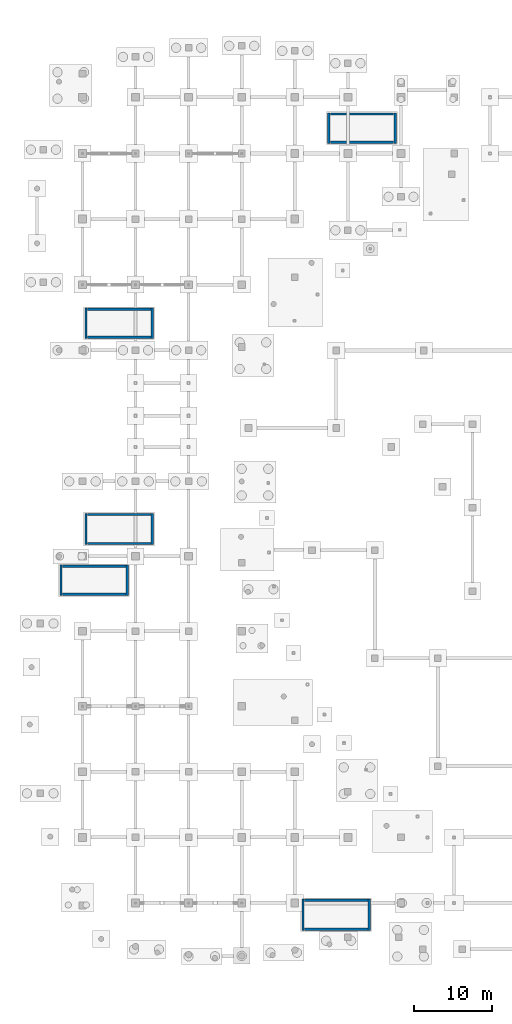
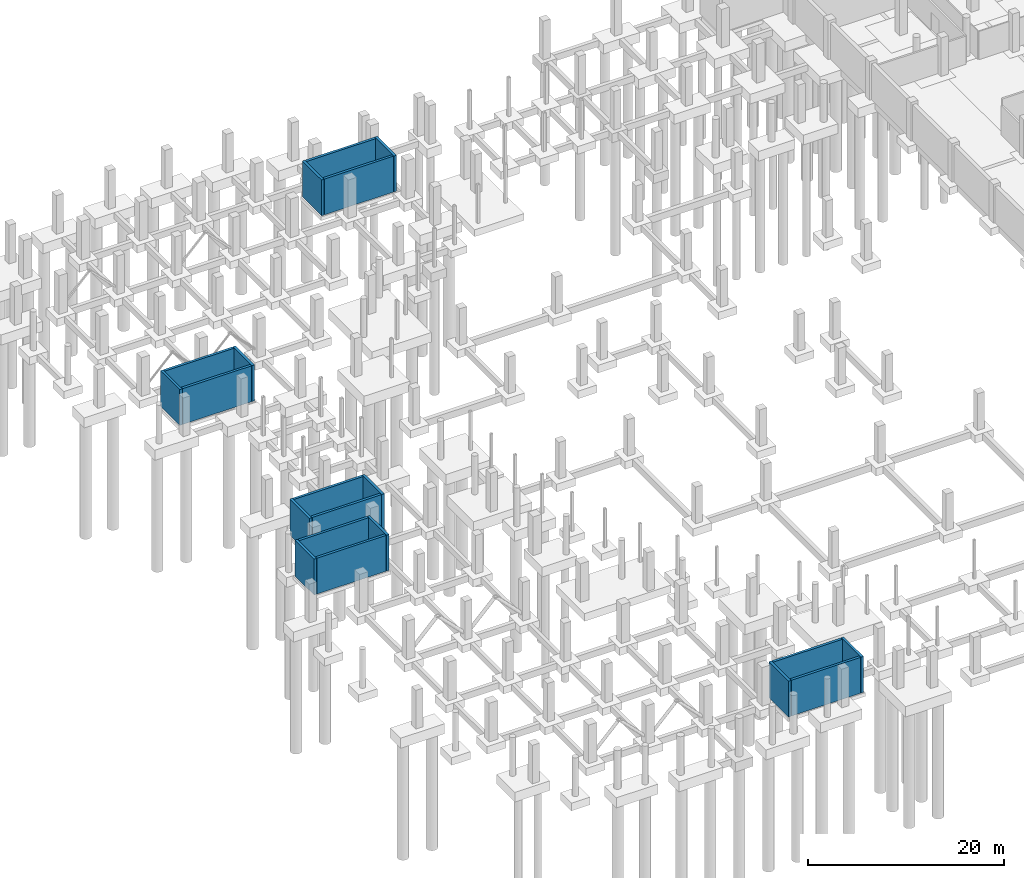
# One storey, part 35 of 44: 20 walls.
"""IFC4 building model written with IfcOpenShell, lengths in metres."""

from ifc_helpers import new_model, si_unit, direction, frame, frame_2d, origin, place, context, subcontext, project, spatial, rectangle, extrude, material, layer, layer_set, type_object, element, save


model = new_model("IFC4")

# Units and contexts
model_context = context("Model", 3, precision=1e-05, world=origin(), true_north=direction((0.0, 1.0)))
body_context = subcontext(model_context, "Body", "Model", "MODEL_VIEW")
ifc_project = project(units=[si_unit("LENGTHUNIT", "METRE"), si_unit("AREAUNIT", "SQUARE_METRE"), si_unit("VOLUMEUNIT", "CUBIC_METRE"), si_unit("PLANEANGLEUNIT", "RADIAN"), si_unit("MASSUNIT", "GRAM", prefix="KILO")], contexts=[model_context])

# Site, building, storey
site_placement = place(None, origin())
site = spatial("IfcSite", under=ifc_project, at=site_placement, CompositionType="ELEMENT")
building_placement = place(site_placement, origin())
building = spatial("IfcBuilding", under=site, at=building_placement, Name="Kisaragi Civic Commons", CompositionType="ELEMENT")
storey_placement = place(building_placement, frame((0.0, 0.0, -4.800048828125)))
storey = spatial("IfcBuildingStorey", under=building, at=storey_placement, Name="B1", CompositionType="ELEMENT", Elevation=-4.800048828125)

# Walls
ifc_material = material(Name="Concrete Fc36", Category="concrete")
ifc_layer = layer(ifc_material, 0.300048828125, Name="Concrete Fc36", Category="concrete")
ifc_layer_set = layer_set([ifc_layer], Name="Concrete Fc36")
wall_type = type_object("IfcWallType", Name="SW-01", PredefinedType="SHEAR", material=ifc_layer_set)
wall_1_placement = place(storey_placement, frame((7.25, 58.300048828125, 0.0), z_axis=(0.0, 0.0, 1.0), x_axis=(0.0, -1.0, 0.0)))
element("IfcWall", 1, at=wall_1_placement, inside=storey, type_object=wall_type, Name="ST-M1 B1 entry RC shear wall", PredefinedType="SHEAR", context=body_context, shape_type="SweptSolid", body=[
    extrude(rectangle(XDim=4.0, YDim=0.300048828125, at=frame_2d((2.0, 0.0))), origin(), (0.0, 0.0, 1.0), 4.4599609375),
])
wall_2_placement = place(storey_placement, frame((7.449951171875, 54.449951171875, 0.0), z_axis=(0.0, 0.0, 1.0), x_axis=(1.0, 0.0, 0.0)))
element("IfcWall", 2, at=wall_2_placement, inside=storey, type_object=wall_type, Name="ST-M1 B1 right RC shear wall", PredefinedType="SHEAR", context=body_context, shape_type="SweptSolid", body=[
    extrude(rectangle(XDim=8.10009765625, YDim=0.300048828125, at=frame_2d((4.050048828125, 0.0))), origin(), (0.0, 0.0, 1.0), 4.4599609375),
])
wall_3_placement = place(storey_placement, frame((15.75, 54.300048828125, 0.0), z_axis=(0.0, 0.0, 1.0), x_axis=(0.0, 1.0, 0.0)))
element("IfcWall", 3, at=wall_3_placement, inside=storey, type_object=wall_type, Name="ST-M1 B1 far RC shear wall", PredefinedType="SHEAR", context=body_context, shape_type="SweptSolid", body=[
    extrude(rectangle(XDim=4.0, YDim=0.300048828125, at=frame_2d((2.0, 0.0))), origin(), (0.0, 0.0, 1.0), 4.4599609375),
])
wall_4_placement = place(storey_placement, frame((15.550048828125, 58.14990234375, 0.0), z_axis=(0.0, 0.0, 1.0), x_axis=(-1.0, 0.0, 0.0)))
element("IfcWall", 4, at=wall_4_placement, inside=storey, type_object=wall_type, Name="ST-M1 B1 left RC shear wall", PredefinedType="SHEAR", context=body_context, shape_type="SweptSolid", body=[
    extrude(rectangle(XDim=8.10009765625, YDim=0.300048828125, at=frame_2d((4.050048828125, 0.0))), origin(), (0.0, 0.0, 1.0), 4.4599609375),
])
wall_5_placement = place(storey_placement, frame((35.050048828125, 8.89990234375, 0.0), z_axis=(0.0, 0.0, 1.0), x_axis=(0.0, -1.0, 0.0)))
element("IfcWall", 5, at=wall_5_placement, inside=storey, type_object=wall_type, Name="ST-M2 B1 entry RC shear wall", PredefinedType="SHEAR", context=body_context, shape_type="SweptSolid", body=[
    extrude(rectangle(XDim=4.0, YDim=0.300048828125, at=frame_2d((2.0, 0.0))), origin(), (0.0, 0.0, 1.0), 4.4599609375),
])
wall_6_placement = place(storey_placement, frame((35.25, 5.050048828125, 0.0), z_axis=(0.0, 0.0, 1.0), x_axis=(1.0, 0.0, 0.0)))
element("IfcWall", 6, at=wall_6_placement, inside=storey, type_object=wall_type, Name="ST-M2 B1 right RC shear wall", PredefinedType="SHEAR", context=body_context, shape_type="SweptSolid", body=[
    extrude(rectangle(XDim=8.10009765625, YDim=0.300048828125, at=frame_2d((4.050048828125, 0.0))), origin(), (0.0, 0.0, 1.0), 4.4599609375),
])
wall_7_placement = place(storey_placement, frame((43.550048828125, 4.89990234375, 0.0), z_axis=(0.0, 0.0, 1.0), x_axis=(0.0, 1.0, 0.0)))
element("IfcWall", 7, at=wall_7_placement, inside=storey, type_object=wall_type, Name="ST-M2 B1 far RC shear wall", PredefinedType="SHEAR", context=body_context, shape_type="SweptSolid", body=[
    extrude(rectangle(XDim=4.0, YDim=0.300048828125, at=frame_2d((2.0, 0.0))), origin(), (0.0, 0.0, 1.0), 4.4599609375),
])
wall_8_placement = place(storey_placement, frame((43.35009765625, 8.75, 0.0), z_axis=(0.0, 0.0, 1.0), x_axis=(-1.0, 0.0, 0.0)))
element("IfcWall", 8, at=wall_8_placement, inside=storey, type_object=wall_type, Name="ST-M2 B1 left RC shear wall", PredefinedType="SHEAR", context=body_context, shape_type="SweptSolid", body=[
    extrude(rectangle(XDim=8.10009765625, YDim=0.300048828125, at=frame_2d((4.050048828125, 0.0))), origin(), (0.0, 0.0, 1.0), 4.4599609375),
])
wall_9_placement = place(storey_placement, frame((12.550048828125, 47.800048828125, 0.0), z_axis=(0.0, 0.0, 1.0), x_axis=(0.0, 1.0, 0.0)))
element("IfcWall", 9, at=wall_9_placement, inside=storey, type_object=wall_type, Name="ST-M3 B1 entry RC shear wall", PredefinedType="SHEAR", context=body_context, shape_type="SweptSolid", body=[
    extrude(rectangle(XDim=3.89990234375, YDim=0.300048828125, at=frame_2d((1.949951171875, 0.0))), origin(), (0.0, 0.0, 1.0), 4.4599609375),
])
wall_10_placement = place(storey_placement, frame((12.35009765625, 51.550048828125, 0.0), z_axis=(0.0, 0.0, 1.0), x_axis=(-1.0, 0.0, 0.0)))
element("IfcWall", 10, at=wall_10_placement, inside=storey, type_object=wall_type, Name="ST-M3 B1 right RC shear wall", PredefinedType="SHEAR", context=body_context, shape_type="SweptSolid", body=[
    extrude(rectangle(XDim=8.10009765625, YDim=0.300048828125, at=frame_2d((4.050048828125, 0.0))), origin(), (0.0, 0.0, 1.0), 4.4599609375),
])
wall_11_placement = place(storey_placement, frame((4.050048828125, 51.699951171875, 0.0), z_axis=(0.0, 0.0, 1.0), x_axis=(0.0, -1.0, 0.0)))
element("IfcWall", 11, at=wall_11_placement, inside=storey, type_object=wall_type, Name="ST-M3 B1 far RC shear wall", PredefinedType="SHEAR", context=body_context, shape_type="SweptSolid", body=[
    extrude(rectangle(XDim=3.89990234375, YDim=0.300048828125, at=frame_2d((1.949951171875, 0.0))), origin(), (0.0, 0.0, 1.0), 4.4599609375),
])
wall_12_placement = place(storey_placement, frame((4.25, 47.949951171875, 0.0), z_axis=(0.0, 0.0, 1.0), x_axis=(1.0, 0.0, 0.0)))
element("IfcWall", 12, at=wall_12_placement, inside=storey, type_object=wall_type, Name="ST-M3 B1 left RC shear wall", PredefinedType="SHEAR", context=body_context, shape_type="SweptSolid", body=[
    extrude(rectangle(XDim=8.10009765625, YDim=0.300048828125, at=frame_2d((4.050048828125, 0.0))), origin(), (0.0, 0.0, 1.0), 4.4599609375),
])
wall_13_placement = place(storey_placement, frame((7.25, 84.60009765625, 0.0), z_axis=(0.0, 0.0, 1.0), x_axis=(0.0, -1.0, 0.0)))
element("IfcWall", 13, at=wall_13_placement, inside=storey, type_object=wall_type, Name="ST-S1 B1 entry RC shear wall", PredefinedType="SHEAR", context=body_context, shape_type="SweptSolid", body=[
    extrude(rectangle(XDim=3.900146484375, YDim=0.300048828125, at=frame_2d((1.9501953125, 0.0))), origin(), (0.0, 0.0, 1.0), 4.4599609375),
])
wall_14_placement = place(storey_placement, frame((7.449951171875, 80.85009765625, 0.0), z_axis=(0.0, 0.0, 1.0), x_axis=(1.0, 0.0, 0.0)))
element("IfcWall", 14, at=wall_14_placement, inside=storey, type_object=wall_type, Name="ST-S1 B1 right RC shear wall", PredefinedType="SHEAR", context=body_context, shape_type="SweptSolid", body=[
    extrude(rectangle(XDim=8.10009765625, YDim=0.300048828125, at=frame_2d((4.050048828125, 0.0))), origin(), (0.0, 0.0, 1.0), 4.4599609375),
])
wall_15_placement = place(storey_placement, frame((15.75, 80.699951171875, 0.0), z_axis=(0.0, 0.0, 1.0), x_axis=(0.0, 1.0, 0.0)))
element("IfcWall", 15, at=wall_15_placement, inside=storey, type_object=wall_type, Name="ST-S1 B1 far RC shear wall", PredefinedType="SHEAR", context=body_context, shape_type="SweptSolid", body=[
    extrude(rectangle(XDim=3.900146484375, YDim=0.300048828125, at=frame_2d((1.9501953125, 0.0))), origin(), (0.0, 0.0, 1.0), 4.4599609375),
])
wall_16_placement = place(storey_placement, frame((15.550048828125, 84.449951171875, 0.0), z_axis=(0.0, 0.0, 1.0), x_axis=(-1.0, 0.0, 0.0)))
element("IfcWall", 16, at=wall_16_placement, inside=storey, type_object=wall_type, Name="ST-S1 B1 left RC shear wall", PredefinedType="SHEAR", context=body_context, shape_type="SweptSolid", body=[
    extrude(rectangle(XDim=8.10009765625, YDim=0.300048828125, at=frame_2d((4.050048828125, 0.0))), origin(), (0.0, 0.0, 1.0), 4.4599609375),
])
wall_17_placement = place(storey_placement, frame((38.35009765625, 109.60009765625, 0.0), z_axis=(0.0, 0.0, 1.0), x_axis=(0.0, -1.0, 0.0)))
element("IfcWall", 17, at=wall_17_placement, inside=storey, type_object=wall_type, Name="ST-S2 B1 entry RC shear wall", PredefinedType="SHEAR", context=body_context, shape_type="SweptSolid", body=[
    extrude(rectangle(XDim=3.900146484375, YDim=0.300048828125, at=frame_2d((1.9501953125, 0.0))), origin(), (0.0, 0.0, 1.0), 4.4599609375),
])
wall_18_placement = place(storey_placement, frame((38.550048828125, 105.85009765625, 0.0), z_axis=(0.0, 0.0, 1.0), x_axis=(1.0, 0.0, 0.0)))
element("IfcWall", 18, at=wall_18_placement, inside=storey, type_object=wall_type, Name="ST-S2 B1 right RC shear wall", PredefinedType="SHEAR", context=body_context, shape_type="SweptSolid", body=[
    extrude(rectangle(XDim=8.099853515625, YDim=0.300048828125, at=frame_2d((4.0498046875, 0.0))), origin(), (0.0, 0.0, 1.0), 4.4599609375),
])
wall_19_placement = place(storey_placement, frame((46.85009765625, 105.699951171875, 0.0), z_axis=(0.0, 0.0, 1.0), x_axis=(0.0, 1.0, 0.0)))
element("IfcWall", 19, at=wall_19_placement, inside=storey, type_object=wall_type, Name="ST-S2 B1 far RC shear wall", PredefinedType="SHEAR", context=body_context, shape_type="SweptSolid", body=[
    extrude(rectangle(XDim=3.900146484375, YDim=0.300048828125, at=frame_2d((1.9501953125, 0.0))), origin(), (0.0, 0.0, 1.0), 4.4599609375),
])
wall_20_placement = place(storey_placement, frame((46.64990234375, 109.449951171875, 0.0), z_axis=(0.0, 0.0, 1.0), x_axis=(-1.0, 0.0, 0.0)))
element("IfcWall", 20, at=wall_20_placement, inside=storey, type_object=wall_type, Name="ST-S2 B1 left RC shear wall", PredefinedType="SHEAR", context=body_context, shape_type="SweptSolid", body=[
    extrude(rectangle(XDim=8.099853515625, YDim=0.300048828125, at=frame_2d((4.0498046875, 0.0))), origin(), (0.0, 0.0, 1.0), 4.4599609375),
])

save(model, "model.ifc")
